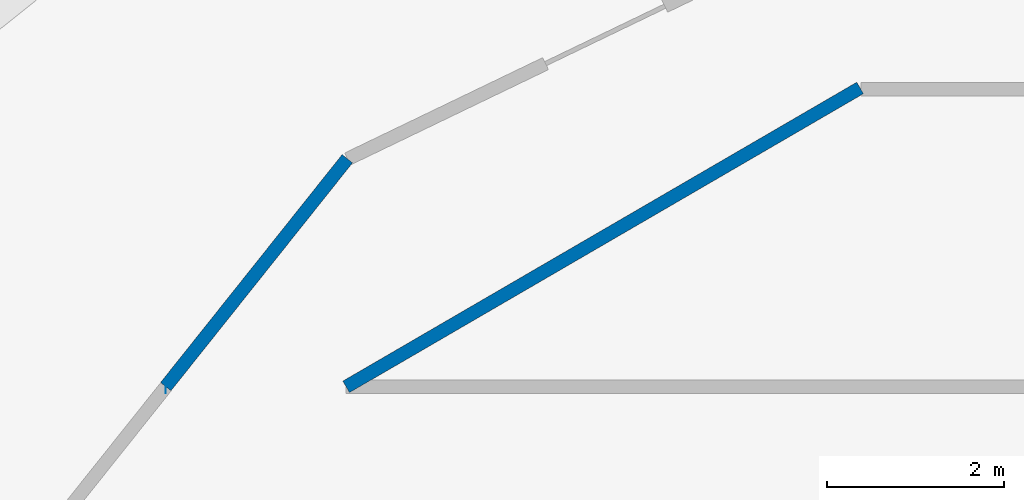
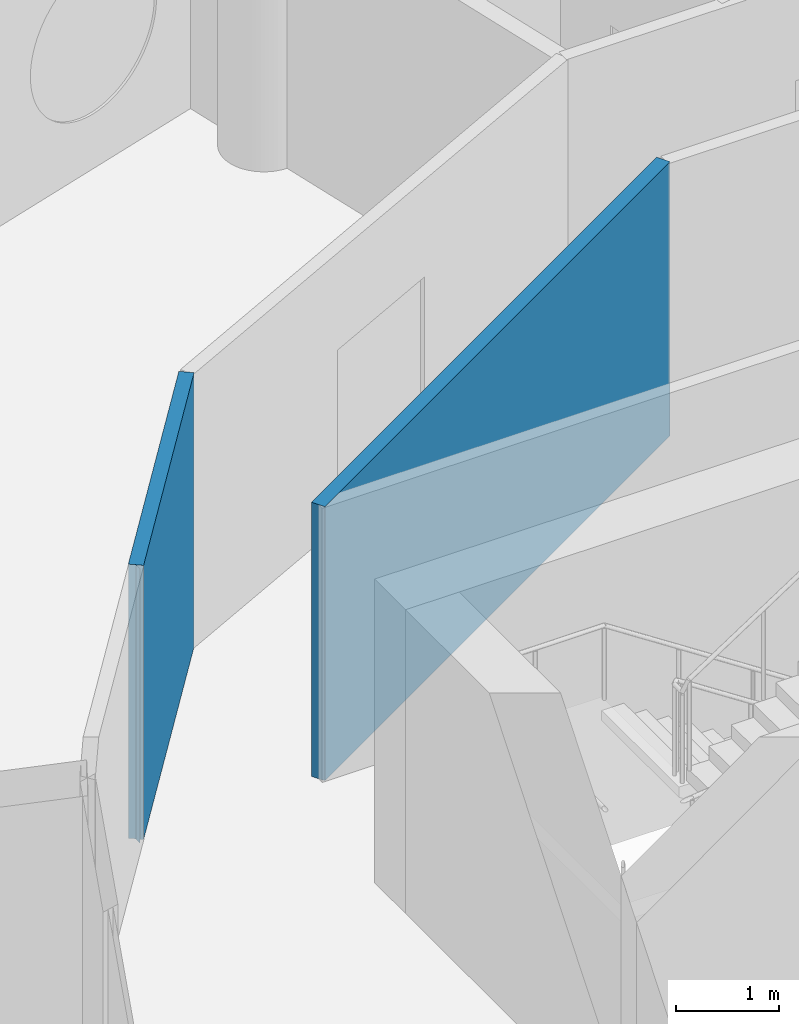
# One storey, part 7 of 13: 3 walls.
"""IFC4 building model written with IfcOpenShell, lengths in metres."""

from ifc_helpers import new_model, si_unit, direction, frame, frame_2d, origin, place, context, subcontext, project, spatial, rectangle, extrude, material, layer, layer_set, type_object, element, save


model = new_model("IFC4")

# Units and contexts
model_context = context("Model", 3, precision=1e-05, world=origin(), true_north=direction((0.0, 1.0)))
body_context = subcontext(model_context, "Body", "Model", "MODEL_VIEW")
ifc_project = project(units=[si_unit("LENGTHUNIT", "METRE"), si_unit("AREAUNIT", "SQUARE_METRE"), si_unit("VOLUMEUNIT", "CUBIC_METRE"), si_unit("PLANEANGLEUNIT", "RADIAN"), si_unit("MASSUNIT", "GRAM", prefix="KILO")], contexts=[model_context])

# Site, building, storey
site_placement = place(None, origin())
site = spatial("IfcSite", under=ifc_project, at=site_placement, CompositionType="ELEMENT")
building_placement = place(site_placement, origin())
building = spatial("IfcBuilding", under=site, at=building_placement, Name="Tracery Tower", CompositionType="ELEMENT")
storey_placement = place(building_placement, frame((0.0, 0.0, 298.199951171875)))
storey = spatial("IfcBuildingStorey", under=building, at=storey_placement, Name="L77", CompositionType="ELEMENT", Elevation=298.199951171875)

# Walls
ifc_material = material(Name="Plasterboard on steel studs", Category="steel")
ifc_layer = layer(ifc_material, 0.14990234375)
ifc_layer_set = layer_set([ifc_layer], Name="Partition 150 corridor wall")
wall_type = type_object("IfcWallType", Name="Partition 150 corridor wall", PredefinedType="PARTITIONING", material=ifc_layer_set)
wall_1_placement = place(storey_placement, frame((-9.092041015625, 8.800048828125, 0.0), z_axis=(0.0, 0.0, 1.0), x_axis=(0.864470922103, 0.502682827277, 0.0)))
element("IfcWall", 1, at=wall_1_placement, inside=storey, type_object=wall_type, Name="Corridor wall RC7-001", PredefinedType="PARTITIONING", context=body_context, shape_type="SweptSolid", body=[
    extrude(rectangle(XDim=6.7353515625, YDim=0.14990234375, at=frame_2d((3.36767578125, 0.0))), origin(), (0.0, 0.0, 1.0), 3.25),
])
wall_2_placement = place(storey_placement, frame((-11.134033203125, 8.800048828125, 0.0), z_axis=(0.0, 0.0, 1.0), x_axis=(-1.0, 0.0, 0.0)))
element("IfcWall", 2, at=wall_2_placement, inside=storey, type_object=wall_type, Name="Corridor wall RC7-008", PredefinedType="PARTITIONING", context=body_context, shape_type="SweptSolid", body=[
    extrude(rectangle(XDim=0.0029296875, YDim=0.14990234375, at=frame_2d((0.00146484375, 0.0))), origin(), (0.0, 0.0, 1.0), 3.25),
])
wall_3_placement = place(storey_placement, frame((-11.135986328125, 8.802001953125, 0.0), z_axis=(0.0, 0.0, 1.0), x_axis=(0.623151397235, 0.782101231379, 0.0)))
element("IfcWall", 3, at=wall_3_placement, inside=storey, type_object=wall_type, Name="Corridor wall RC7-009", PredefinedType="PARTITIONING", context=body_context, shape_type="SweptSolid", body=[
    extrude(rectangle(XDim=3.30078125, YDim=0.14990234375, at=frame_2d((1.650390625, 0.0))), origin(), (0.0, 0.0, 1.0), 3.25),
])

save(model, "model.ifc")
